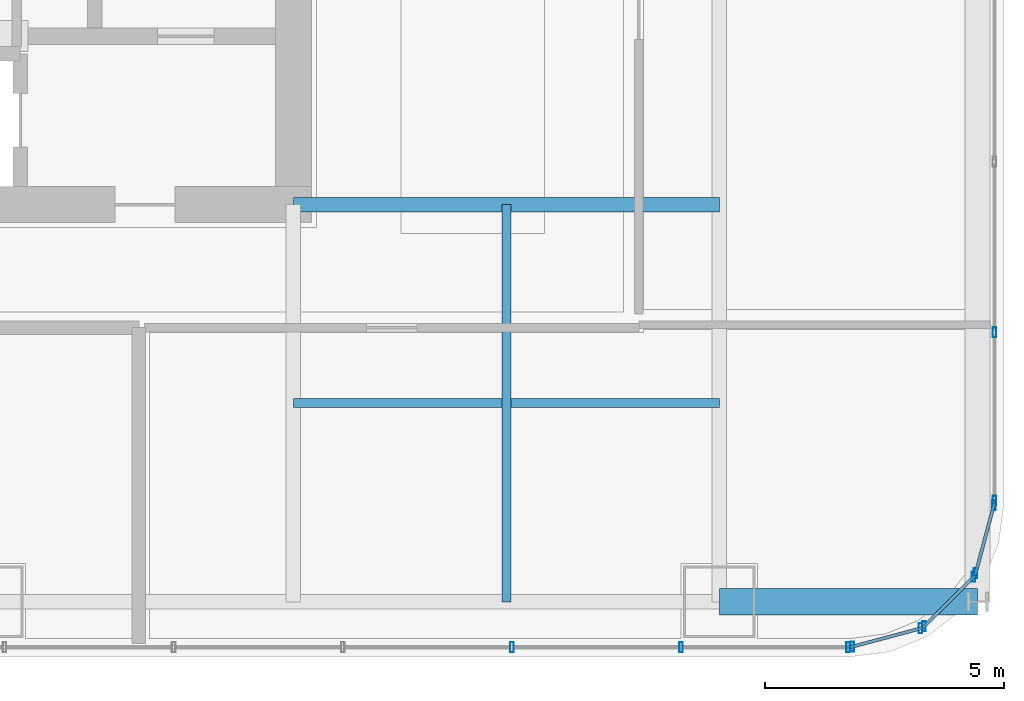
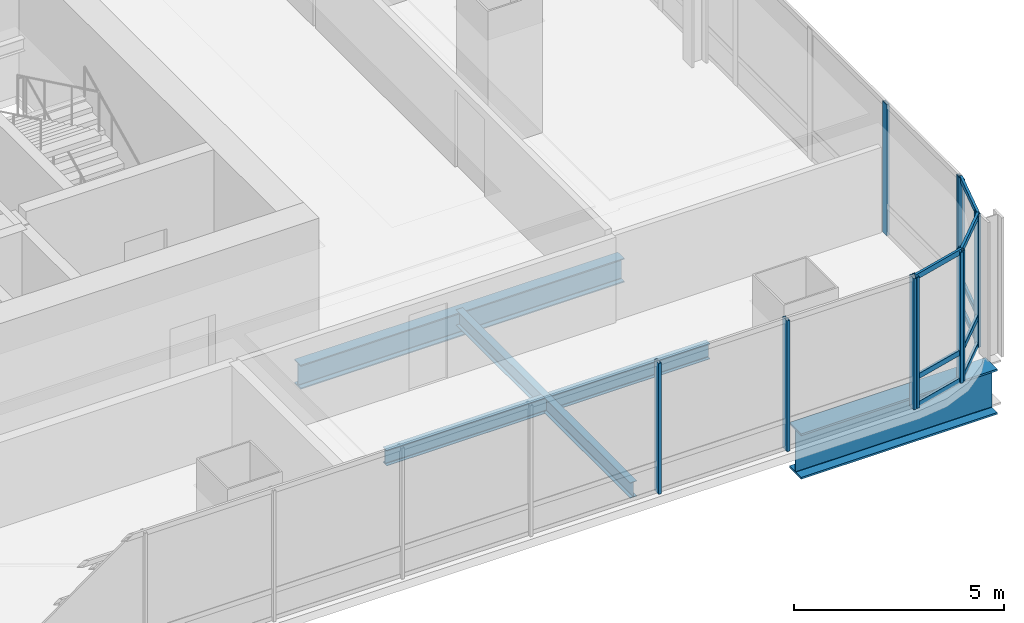
# One storey, part 13 of 34: 20 members, 4 beams, 5 elements without a shape of their own.
"""IFC4 building model written with IfcOpenShell, lengths in metres."""

import ifcopenshell
import ifcopenshell.guid

model = None  # the IFC model being written
_history = None  # IfcOwnerHistory: only IFC2X3 demands one
_inside = {}  # id of a spatial element -> (the spatial element, [elements in it])
_under = {}  # id of a project, library or spatial element -> (it, [spatial elements below it])
_declared = {}  # id of a project -> (the project, [libraries it declares])
_typed = {}  # id of a type object -> (the type object, [elements of that type])
_made_of = {}  # id of a material, layer set ... -> (it, [elements and type objects made of it])


def new_model(schema):
    """Start an empty IFC model of exactly this schema.

    Asked for "IFC4X3", IfcOpenShell would pick the latest addendum, in which some entities
    have other attributes; the version numbers below select the first issue.
    IFC2X3 requires an IfcOwnerHistory on every rooted entity: one is made here for all.
    """
    global model, _history
    if schema == "IFC4X3":
        model = ifcopenshell.file(schema_version=(4, 3, 0, 0))
    else:
        model = ifcopenshell.file(schema=schema)
    _inside.clear()
    _under.clear()
    _declared.clear()
    _typed.clear()
    _made_of.clear()
    _history = None
    if model.schema == "IFC2X3":
        org = make("IfcOrganization", Name="unknown")
        user = make(
            "IfcPersonAndOrganization",
            ThePerson=make("IfcPerson", FamilyName="unknown"),
            TheOrganization=org,
        )
        app = make(
            "IfcApplication",
            ApplicationDeveloper=org,
            Version="unknown",
            ApplicationFullName="unknown",
            ApplicationIdentifier="unknown",
        )
        _history = make(
            "IfcOwnerHistory",
            OwningUser=user,
            OwningApplication=app,
            ChangeAction="ADDED",
            CreationDate=0,
        )
    return model


def make(cls, **values):
    """One entity of the class cls with the attributes given. An attribute that is None is left unset."""
    return model.create_entity(
        cls, **{name: value for name, value in values.items() if value is not None}
    )


def rooted(cls, **values):
    """An entity with a GlobalId (a new one), such as an element, a storey or a relation."""
    return make(cls, GlobalId=ifcopenshell.guid.new(), OwnerHistory=_history, **values)


def si_unit(unit_type, name, prefix=None):
    """IfcSIUnit, for example si_unit("LENGTHUNIT", "METRE", prefix="MILLI")."""
    return make("IfcSIUnit", UnitType=unit_type, Prefix=prefix, Name=name)


def assignment(units):
    """IfcUnitAssignment: the units of a project."""
    return None if units is None else make("IfcUnitAssignment", Units=units)


def point(xyz):
    """IfcCartesianPoint."""
    return None if xyz is None else make("IfcCartesianPoint", Coordinates=xyz)


def direction(xyz):
    """IfcDirection."""
    return None if xyz is None else make("IfcDirection", DirectionRatios=xyz)


def frame(location, z_axis=None, x_axis=None):
    """IfcAxis2Placement3D, a coordinate frame: its origin and axes. An axis left out is left unset."""
    return make(
        "IfcAxis2Placement3D",
        Location=point(location),
        Axis=direction(z_axis),
        RefDirection=direction(x_axis),
    )


def frame_2d(location, x_axis=None):
    """IfcAxis2Placement2D, a coordinate frame in the plane: its origin and x axis."""
    return make(
        "IfcAxis2Placement2D", Location=point(location), RefDirection=direction(x_axis)
    )


def origin():
    """The frame at (0, 0, 0) with its axes left unset."""
    return frame((0.0, 0.0, 0.0))


def origin_2d():
    """The frame at (0, 0) in the plane with its x axis left unset."""
    return frame_2d((0.0, 0.0))


def place(relative_to, where):
    """IfcLocalPlacement: puts the frame where relative to a parent placement (None: the world)."""
    return make(
        "IfcLocalPlacement", PlacementRelTo=relative_to, RelativePlacement=where
    )


def context(
    kind, dimensions, precision=None, world=None, true_north=None, identifier=None
):
    """IfcGeometricRepresentationContext, for example the 3D "Model" context."""
    return make(
        "IfcGeometricRepresentationContext",
        ContextIdentifier=identifier,
        ContextType=kind,
        CoordinateSpaceDimension=dimensions,
        Precision=precision,
        WorldCoordinateSystem=world,
        TrueNorth=true_north,
    )


def subcontext(parent, identifier, kind, view, scale=None):
    """IfcGeometricRepresentationSubContext, for example "Body" below "Model"."""
    return make(
        "IfcGeometricRepresentationSubContext",
        ContextIdentifier=identifier,
        ContextType=kind,
        ParentContext=parent,
        TargetScale=scale,
        TargetView=view,
    )


def project(units=None, contexts=None):
    """IfcProject with its units and contexts."""
    return rooted(
        "IfcProject",
        Name="project",
        RepresentationContexts=contexts,
        UnitsInContext=assignment(units),
    )


def spatial(cls, under=None, at=None, **own):
    """A site, building, storey or space (cls), placed at a placement, below another one or the project."""
    s = rooted(cls, ObjectPlacement=at, **own)
    if under is not None:
        _under.setdefault(under.id(), (under, []))[1].append(s)
    return s


def profile(cls, at=None, kind="AREA", **sizes):
    """A parametric profile (cls). Its sizes go by their IFC names, for example OverallWidth=200.0."""
    return make(cls, ProfileType=kind, Position=at, **sizes)


def hollow_rectangle(**sizes):
    """IfcRectangleHollowProfileDef."""
    return profile("IfcRectangleHollowProfileDef", **sizes)


def i_section(**sizes):
    """IfcIShapeProfileDef."""
    return profile("IfcIShapeProfileDef", **sizes)


def extrude(swept, where, along, depth):
    """IfcExtrudedAreaSolid: the profile swept, set in the frame where, extruded along a direction by depth."""
    return make(
        "IfcExtrudedAreaSolid",
        SweptArea=swept,
        Position=where,
        ExtrudedDirection=direction(along),
        Depth=depth,
    )


def shape(context_of_items, identifier, shape_type, items):
    """IfcShapeRepresentation: the items that make up one representation, for example the "Body"."""
    return make(
        "IfcShapeRepresentation",
        ContextOfItems=context_of_items,
        RepresentationIdentifier=identifier,
        RepresentationType=shape_type,
        Items=items,
    )


def material(Name=None, Category=None):
    """IfcMaterial."""
    return make("IfcMaterial", Name=Name, Category=Category)


def material_profile(
    of_material, cross_section, Name=None, Category=None, Priority=None
):
    """IfcMaterialProfile: a cross section and its material."""
    return make(
        "IfcMaterialProfile",
        Name=Name,
        Material=of_material,
        Profile=cross_section,
        Priority=Priority,
        Category=Category,
    )


def profile_set(profiles, Name=None, composite=None):
    """IfcMaterialProfileSet."""
    return make(
        "IfcMaterialProfileSet",
        Name=Name,
        MaterialProfiles=profiles,
        CompositeProfile=composite,
    )


def made_of(thing, what):
    """Note that an element or type object is made of a material, layer set ...; save() writes the relation."""
    if what is not None:
        _made_of.setdefault(what.id(), (what, []))[1].append(thing)
    return thing


def type_object(cls, material=None, **own):
    """A type object (cls), such as IfcWallType, which elements share."""
    return made_of(rooted(cls, **own), material)


def element(
    cls,
    number,
    at=None,
    inside=None,
    cuts=None,
    type_object=None,
    material=None,
    context=None,
    identifier="Body",
    shape_type=None,
    held_by="IfcProductDefinitionShape",
    body=None,
    shapes=None,
    **own,
):
    """One element of the class cls, such as IfcWall. Its Tag is "e" and its number.

    at: its placement. inside: the storey or other place that contains it. cuts: it is an
    opening in that element (IfcRelVoidsElement). A single representation is given by context,
    identifier, shape_type and body (its items); several are given by shapes. held_by: the class
    of the entity that holds the representations. save() writes the other relations.
    """
    e = rooted(cls, Tag="e%d" % number, ObjectPlacement=at, **own)
    if body is not None:
        shapes = [shape(context, identifier, shape_type, body)]
    if shapes is not None:
        e.Representation = make(held_by, Representations=shapes)
    if inside is not None:
        _inside.setdefault(inside.id(), (inside, []))[1].append(e)
    if cuts is not None:
        rooted(
            "IfcRelVoidsElement", RelatingBuildingElement=cuts, RelatedOpeningElement=e
        )
    if type_object is not None:
        _typed.setdefault(type_object.id(), (type_object, []))[1].append(e)
    return made_of(e, material)


def aggregate(whole, parts):
    """IfcRelAggregates: a whole, such as a stair, and the parts it consists of."""
    return rooted("IfcRelAggregates", RelatingObject=whole, RelatedObjects=parts)


def save(model, path):
    """Write the relations noted so far, then the file.

    IfcRelAggregates (storeys below a building ...), IfcRelContainedInSpatialStructure (elements
    in a storey), IfcRelDefinesByType, IfcRelAssociatesMaterial and IfcRelDeclares: one each for
    every whole, place, type object, material and project.
    """
    for whole, parts in _under.values():
        aggregate(whole, parts)
    for where, things in _inside.values():
        rooted(
            "IfcRelContainedInSpatialStructure",
            RelatedElements=things,
            RelatingStructure=where,
        )
    for kind, things in _typed.values():
        rooted("IfcRelDefinesByType", RelatedObjects=things, RelatingType=kind)
    for what, things in _made_of.values():
        rooted("IfcRelAssociatesMaterial", RelatedObjects=things, RelatingMaterial=what)
    for by, libraries in _declared.values():
        rooted("IfcRelDeclares", RelatingContext=by, RelatedDefinitions=libraries)
    model.write(path)


model = new_model("IFC4")

# Units and contexts
model_context = context("Model", 3, precision=1e-05, world=origin(), true_north=direction((0.0, 1.0)))
body_context = subcontext(model_context, "Body", "Model", "MODEL_VIEW")
ifc_project = project(units=[si_unit("LENGTHUNIT", "METRE"), si_unit("AREAUNIT", "SQUARE_METRE"), si_unit("VOLUMEUNIT", "CUBIC_METRE"), si_unit("PLANEANGLEUNIT", "RADIAN"), si_unit("MASSUNIT", "GRAM", prefix="KILO")], contexts=[model_context])

# Site, building, storey
site_placement = place(None, origin())
site = spatial("IfcSite", under=ifc_project, at=site_placement, CompositionType="ELEMENT")
building_placement = place(site_placement, origin())
building = spatial("IfcBuilding", under=site, at=building_placement, Name="Punatoya Terracotta Tower", CompositionType="ELEMENT")
storey_placement = place(building_placement, frame((0.0, 0.0, 105.14990234375)))
storey = spatial("IfcBuildingStorey", under=building, at=storey_placement, Name="L24", CompositionType="ELEMENT", Elevation=105.14990234375)

# Beams
ifc_material_1 = material(Name="Steel S355", Category="steel")
ifc_material_profile_1 = material_profile(ifc_material_1, i_section(OverallWidth=0.300048828125, OverallDepth=0.699951171875, WebThickness=0.01708984375, FlangeThickness=0.031982421875, FilletRadius=0.01806640625, at=origin_2d()))
ifc_profile_set_1 = profile_set([ifc_material_profile_1], Name="Steel S355")
beam_type_1 = type_object("IfcBeamType", Name="BM-PRI-700", PredefinedType="BEAM", material=ifc_profile_set_1)
beam_1_placement = place(storey_placement, frame((10.199951171875, -9.199951171875, -0.58984375), z_axis=(1.0, 0.0, 0.0), x_axis=(0.0, 1.0, 0.0)))
element("IfcBeam", 1, at=beam_1_placement, inside=storey, type_object=beam_type_1, Name="BM-L24-PR-ES", PredefinedType="BEAM", context=body_context, shape_type="SweptSolid", body=[
    extrude(i_section(OverallWidth=0.300048828125, OverallDepth=0.699951171875, WebThickness=0.01708984375, FlangeThickness=0.031982421875, FilletRadius=0.01806640625, at=origin_2d()), origin(), (0.0, 0.0, 1.0), 8.900146484375),
])
ifc_material_profile_2 = material_profile(ifc_material_1, i_section(OverallWidth=0.18994140625, OverallDepth=0.449951171875, WebThickness=0.009521484375, FlangeThickness=0.0146484375, FilletRadius=0.01806640625, at=origin_2d()))
ifc_profile_set_2 = profile_set([ifc_material_profile_2], Name="Steel S355")
beam_type_2 = type_object("IfcBeamType", Name="BM-SEC-450", PredefinedType="JOIST", material=ifc_profile_set_2)
beam_2_placement = place(storey_placement, frame((10.199951171875, -13.35009765625, -0.46484375), z_axis=(1.0, 0.0, 0.0), x_axis=(0.0, 1.0, 0.0)))
element("IfcBeam", 2, at=beam_2_placement, inside=storey, type_object=beam_type_2, Name="BM-L24-SJS-2", PredefinedType="JOIST", context=body_context, shape_type="SweptSolid", body=[
    extrude(i_section(OverallWidth=0.18994140625, OverallDepth=0.449951171875, WebThickness=0.009521484375, FlangeThickness=0.0146484375, FilletRadius=0.01806640625, at=origin_2d()), origin(), (0.0, 0.0, 1.0), 8.900146484375),
])
beam_3_placement = place(storey_placement, frame((14.64990234375, -17.5, -0.46484375), z_axis=(0.0, 1.0, 0.0), x_axis=(-1.0, 0.0, 0.0)))
element("IfcBeam", 3, at=beam_3_placement, inside=storey, type_object=beam_type_2, Name="BM-L24-SJE-1", PredefinedType="JOIST", context=body_context, shape_type="SweptSolid", body=[
    extrude(i_section(OverallWidth=0.18994140625, OverallDepth=0.449951171875, WebThickness=0.009521484375, FlangeThickness=0.0146484375, FilletRadius=0.01806640625, at=origin_2d()), origin(), (0.0, 0.0, 1.0), 8.300048828125),
])
ifc_material_2 = material(Name="Steel S460", Category="steel")
ifc_material_profile_3 = material_profile(ifc_material_2, i_section(OverallWidth=0.56005859375, OverallDepth=1.320068359375, WebThickness=0.035888671875, FlangeThickness=0.054931640625, FilletRadius=0.01806640625, at=origin_2d()))
ifc_profile_set_3 = profile_set([ifc_material_profile_3], Name="Steel S460")
beam_type_3 = type_object("IfcBeamType", Name="BM-TG-BLK", PredefinedType="BEAM", material=ifc_profile_set_3)
beam_4_placement = place(storey_placement, frame((19.10009765625, -17.5, -0.89990234375), z_axis=(1.0, 0.0, 0.0), x_axis=(0.0, 1.0, 0.0)))
element("IfcBeam", 4, at=beam_4_placement, inside=storey, type_object=beam_type_3, Name="BM-L24-CANT-E1", PredefinedType="BEAM", context=body_context, shape_type="SweptSolid", body=[
    extrude(i_section(OverallWidth=0.56005859375, OverallDepth=1.320068359375, WebThickness=0.035888671875, FlangeThickness=0.054931640625, FilletRadius=0.01806640625, at=origin_2d()), origin(), (0.0, 0.0, 1.0), 5.39990234375),
])

# Curtain wall, members
ifc_material_3 = material(Name="Aluminium 6063-T6 + Double Low-E Glass", Category="aluminium")
curtain_wall_type = type_object("IfcCurtainWallType", Name="CW-M1", PredefinedType="NOTDEFINED", material=ifc_material_3)
curtain_wall_1_placement = place(storey_placement, origin())
curtain_wall_1 = element("IfcCurtainWall", 5, at=curtain_wall_1_placement, inside=storey, type_object=curtain_wall_type, Name="L24 Curtain Wall CW-L24-S01-1", PredefinedType="NOTDEFINED")
ifc_material_4 = material(Name="Aluminium 6063-T6", Category="aluminium")
ifc_material_profile_4 = material_profile(ifc_material_4, hollow_rectangle(XDim=0.074951171875, YDim=0.2099609375, WallThickness=0.00439453125, at=origin_2d()))
ifc_profile_set_4 = profile_set([ifc_material_profile_4], Name="Aluminium 6063-T6")
member_type_1 = type_object("IfcMemberType", Name="CW-MUL-M1", PredefinedType="MULLION", material=ifc_profile_set_4)
member_1_placement = place(storey_placement, frame((14.768798828125, -18.449951171875, 0.0), z_axis=(0.0, 0.0, 1.0), x_axis=(1.0, 0.0, 0.0)))
member_1 = element("IfcMember", 6, at=member_1_placement, type_object=member_type_1, Name="CW-L24-S01-1 Mullion 09", PredefinedType="MULLION", context=body_context, shape_type="SweptSolid", body=[
    extrude(hollow_rectangle(XDim=0.074951171875, YDim=0.2099609375, WallThickness=0.00439453125, at=origin_2d()), origin(), (0.0, 0.0, 1.0), 3.81005859375),
])
member_2_placement = place(storey_placement, frame((18.302978515625, -18.449951171875, 0.0), z_axis=(0.0, 0.0, 1.0), x_axis=(1.0, 0.0, 0.0)))
member_2 = element("IfcMember", 7, at=member_2_placement, type_object=member_type_1, Name="CW-L24-S01-1 Mullion 10", PredefinedType="MULLION", context=body_context, shape_type="SweptSolid", body=[
    extrude(hollow_rectangle(XDim=0.074951171875, YDim=0.2099609375, WallThickness=0.00439453125, at=origin_2d()), origin(), (0.0, 0.0, 1.0), 3.81005859375),
])
member_3_placement = place(storey_placement, frame((21.7919921875, -18.449951171875, 0.0), z_axis=(0.0, 0.0, 1.0), x_axis=(1.0, 0.0, 0.0)))
member_3 = element("IfcMember", 8, at=member_3_placement, type_object=member_type_1, Name="CW-L24-S01-1 Mullion 11", PredefinedType="MULLION", context=body_context, shape_type="SweptSolid", body=[
    extrude(hollow_rectangle(XDim=0.074951171875, YDim=0.2099609375, WallThickness=0.00439453125, at=origin_2d()), origin(), (0.0, 0.0, 1.0), 3.81005859375),
])
aggregate(curtain_wall_1, [member_1, member_2, member_3])

curtain_wall_2_placement = place(storey_placement, origin())
curtain_wall_2 = element("IfcCurtainWall", 9, at=curtain_wall_2_placement, inside=storey, type_object=curtain_wall_type, Name="L24 Curtain Wall CW-L24-CRN02", PredefinedType="NOTDEFINED")
member_4_placement = place(storey_placement, frame((21.88037109375, -18.4384765625, 0.0), z_axis=(0.0, 0.0, 1.0), x_axis=(1.0, 0.0, 0.0)))
member_4 = element("IfcMember", 10, at=member_4_placement, type_object=member_type_1, Name="CW-L24-CRN02 Mullion 00", PredefinedType="MULLION", context=body_context, shape_type="SweptSolid", body=[
    extrude(hollow_rectangle(XDim=0.074951171875, YDim=0.2099609375, WallThickness=0.00439453125, at=origin_2d()), origin(), (0.0, 0.0, 1.0), 3.81005859375),
])
member_5_placement = place(storey_placement, frame((23.3056640625, -18.05810546875, 0.0), z_axis=(0.0, 0.0, 1.0), x_axis=(1.0, 0.0, 0.0)))
member_5 = element("IfcMember", 11, at=member_5_placement, type_object=member_type_1, Name="CW-L24-CRN02 Mullion 01", PredefinedType="MULLION", context=body_context, shape_type="SweptSolid", body=[
    extrude(hollow_rectangle(XDim=0.074951171875, YDim=0.2099609375, WallThickness=0.00439453125, at=origin_2d()), origin(), (0.0, 0.0, 1.0), 3.81005859375),
])

curtain_wall_3_placement = place(storey_placement, origin())
curtain_wall_3 = element("IfcCurtainWall", 12, at=curtain_wall_3_placement, inside=storey, type_object=curtain_wall_type, Name="L24 Curtain Wall CW-L24-CRN03", PredefinedType="NOTDEFINED")
member_6_placement = place(storey_placement, frame((23.380859375, -18.014892578125, 0.0), z_axis=(0.0, 0.0, 1.0), x_axis=(1.0, 0.0, 0.0)))
member_6 = element("IfcMember", 13, at=member_6_placement, type_object=member_type_1, Name="CW-L24-CRN03 Mullion 00", PredefinedType="MULLION", context=body_context, shape_type="SweptSolid", body=[
    extrude(hollow_rectangle(XDim=0.074951171875, YDim=0.2099609375, WallThickness=0.00439453125, at=origin_2d()), origin(), (0.0, 0.0, 1.0), 3.81005859375),
])
member_7_placement = place(storey_placement, frame((24.414794921875, -16.98095703125, 0.0), z_axis=(0.0, 0.0, 1.0), x_axis=(1.0, 0.0, 0.0)))
member_7 = element("IfcMember", 14, at=member_7_placement, type_object=member_type_1, Name="CW-L24-CRN03 Mullion 01", PredefinedType="MULLION", context=body_context, shape_type="SweptSolid", body=[
    extrude(hollow_rectangle(XDim=0.074951171875, YDim=0.2099609375, WallThickness=0.00439453125, at=origin_2d()), origin(), (0.0, 0.0, 1.0), 3.81005859375),
])

curtain_wall_4_placement = place(storey_placement, origin())
curtain_wall_4 = element("IfcCurtainWall", 15, at=curtain_wall_4_placement, inside=storey, type_object=curtain_wall_type, Name="L24 Curtain Wall CW-L24-CRN04", PredefinedType="NOTDEFINED")
member_8_placement = place(storey_placement, frame((24.458251953125, -16.905517578125, 0.0), z_axis=(0.0, 0.0, 1.0), x_axis=(1.0, 0.0, 0.0)))
member_8 = element("IfcMember", 16, at=member_8_placement, type_object=member_type_1, Name="CW-L24-CRN04 Mullion 00", PredefinedType="MULLION", context=body_context, shape_type="SweptSolid", body=[
    extrude(hollow_rectangle(XDim=0.074951171875, YDim=0.2099609375, WallThickness=0.00439453125, at=origin_2d()), origin(), (0.0, 0.0, 1.0), 3.81005859375),
])
member_9_placement = place(storey_placement, frame((24.83837890625, -15.48046875, 0.0), z_axis=(0.0, 0.0, 1.0), x_axis=(1.0, 0.0, 0.0)))
member_9 = element("IfcMember", 17, at=member_9_placement, type_object=member_type_1, Name="CW-L24-CRN04 Mullion 01", PredefinedType="MULLION", context=body_context, shape_type="SweptSolid", body=[
    extrude(hollow_rectangle(XDim=0.074951171875, YDim=0.2099609375, WallThickness=0.00439453125, at=origin_2d()), origin(), (0.0, 0.0, 1.0), 3.81005859375),
])

curtain_wall_5_placement = place(storey_placement, origin())
curtain_wall_5 = element("IfcCurtainWall", 18, at=curtain_wall_5_placement, inside=storey, type_object=curtain_wall_type, Name="L24 Curtain Wall CW-L24-E05-1", PredefinedType="NOTDEFINED")
member_10_placement = place(storey_placement, frame((24.85009765625, -15.391845703125, 0.0), z_axis=(0.0, 0.0, 1.0), x_axis=(1.0, 0.0, 0.0)))
member_10 = element("IfcMember", 19, at=member_10_placement, type_object=member_type_1, Name="CW-L24-E05-1 Mullion 00", PredefinedType="MULLION", context=body_context, shape_type="SweptSolid", body=[
    extrude(hollow_rectangle(XDim=0.074951171875, YDim=0.2099609375, WallThickness=0.00439453125, at=origin_2d()), origin(), (0.0, 0.0, 1.0), 3.81005859375),
])
member_11_placement = place(storey_placement, frame((24.85009765625, -11.869384765625, 0.0), z_axis=(0.0, 0.0, 1.0), x_axis=(1.0, 0.0, 0.0)))
member_11 = element("IfcMember", 20, at=member_11_placement, type_object=member_type_1, Name="CW-L24-E05-1 Mullion 01", PredefinedType="MULLION", context=body_context, shape_type="SweptSolid", body=[
    extrude(hollow_rectangle(XDim=0.074951171875, YDim=0.2099609375, WallThickness=0.00439453125, at=origin_2d()), origin(), (0.0, 0.0, 1.0), 3.81005859375),
])
aggregate(curtain_wall_5, [member_10, member_11])

# Member
ifc_material_profile_5 = material_profile(ifc_material_4, hollow_rectangle(XDim=0.068115234375, YDim=0.14990234375, WallThickness=0.00390625, at=origin_2d()))
ifc_profile_set_5 = profile_set([ifc_material_profile_5], Name="Aluminium 6063-T6")
member_type_2 = type_object("IfcMemberType", Name="CW-TRN-TYP", PredefinedType="USERDEFINED", material=ifc_profile_set_5)
member_12_placement = place(storey_placement, frame((21.8369140625, -18.449951171875, 0.0400390625), z_axis=(0.966224582397, 0.257701486942, 0.0), x_axis=(-0.257701486942, 0.966224582397, 0.0)))
member_12 = element("IfcMember", 21, at=member_12_placement, type_object=member_type_2, Name="CW-L24-CRN02 Transom 1", ObjectType="TRANSOM", PredefinedType="USERDEFINED", context=body_context, shape_type="SweptSolid", body=[
    extrude(hollow_rectangle(XDim=0.068115234375, YDim=0.14990234375, WallThickness=0.00390625, at=origin_2d()), origin(), (0.0, 0.0, 1.0), 1.565185546875),
])

member_13_placement = place(storey_placement, frame((21.8369140625, -18.449951171875, 0.85009765625), z_axis=(0.966224582397, 0.257701486942, 0.0), x_axis=(-0.257701486942, 0.966224582397, 0.0)))
member_13 = element("IfcMember", 22, at=member_13_placement, type_object=member_type_2, Name="CW-L24-CRN02 Transom 2", ObjectType="TRANSOM", PredefinedType="USERDEFINED", context=body_context, shape_type="SweptSolid", body=[
    extrude(hollow_rectangle(XDim=0.068115234375, YDim=0.14990234375, WallThickness=0.00390625, at=origin_2d()), origin(), (0.0, 0.0, 1.0), 1.565185546875),
])

member_14_placement = place(storey_placement, frame((21.8369140625, -18.449951171875, 3.77001953125), z_axis=(0.966224582397, 0.257701486942, 0.0), x_axis=(-0.257701486942, 0.966224582397, 0.0)))
member_14 = element("IfcMember", 23, at=member_14_placement, type_object=member_type_2, Name="CW-L24-CRN02 Transom 3", ObjectType="TRANSOM", PredefinedType="USERDEFINED", context=body_context, shape_type="SweptSolid", body=[
    extrude(hollow_rectangle(XDim=0.068115234375, YDim=0.14990234375, WallThickness=0.00390625, at=origin_2d()), origin(), (0.0, 0.0, 1.0), 1.565185546875),
])

aggregate(curtain_wall_2, [member_4, member_5, member_12, member_13, member_14])

member_15_placement = place(storey_placement, frame((23.34912109375, -18.046630859375, 0.0400390625), z_axis=(0.707106781187, 0.707106781187, 0.0), x_axis=(-0.707106781187, 0.707106781187, 0.0)))
member_15 = element("IfcMember", 24, at=member_15_placement, type_object=member_type_2, Name="CW-L24-CRN03 Transom 1", ObjectType="TRANSOM", PredefinedType="USERDEFINED", context=body_context, shape_type="SweptSolid", body=[
    extrude(hollow_rectangle(XDim=0.068115234375, YDim=0.14990234375, WallThickness=0.00390625, at=origin_2d()), origin(), (0.0, 0.0, 1.0), 1.552001953125),
])

member_16_placement = place(storey_placement, frame((23.34912109375, -18.046630859375, 0.85009765625), z_axis=(0.707106781187, 0.707106781187, 0.0), x_axis=(-0.707106781187, 0.707106781187, 0.0)))
member_16 = element("IfcMember", 25, at=member_16_placement, type_object=member_type_2, Name="CW-L24-CRN03 Transom 2", ObjectType="TRANSOM", PredefinedType="USERDEFINED", context=body_context, shape_type="SweptSolid", body=[
    extrude(hollow_rectangle(XDim=0.068115234375, YDim=0.14990234375, WallThickness=0.00390625, at=origin_2d()), origin(), (0.0, 0.0, 1.0), 1.552001953125),
])

member_17_placement = place(storey_placement, frame((23.34912109375, -18.046630859375, 3.77001953125), z_axis=(0.707106781187, 0.707106781187, 0.0), x_axis=(-0.707106781187, 0.707106781187, 0.0)))
member_17 = element("IfcMember", 26, at=member_17_placement, type_object=member_type_2, Name="CW-L24-CRN03 Transom 3", ObjectType="TRANSOM", PredefinedType="USERDEFINED", context=body_context, shape_type="SweptSolid", body=[
    extrude(hollow_rectangle(XDim=0.068115234375, YDim=0.14990234375, WallThickness=0.00390625, at=origin_2d()), origin(), (0.0, 0.0, 1.0), 1.552001953125),
])

aggregate(curtain_wall_3, [member_6, member_7, member_15, member_16, member_17])

member_18_placement = place(storey_placement, frame((24.446533203125, -16.94921875, 0.0400390625), z_axis=(0.257847112249, 0.966185730957, 0.0), x_axis=(-0.966185730957, 0.257847112249, 0.0)))
member_18 = element("IfcMember", 27, at=member_18_placement, type_object=member_type_2, Name="CW-L24-CRN04 Transom 1", ObjectType="TRANSOM", PredefinedType="USERDEFINED", context=body_context, shape_type="SweptSolid", body=[
    extrude(hollow_rectangle(XDim=0.068115234375, YDim=0.14990234375, WallThickness=0.00390625, at=origin_2d()), origin(), (0.0, 0.0, 1.0), 1.565185546875),
])

member_19_placement = place(storey_placement, frame((24.446533203125, -16.94921875, 0.85009765625), z_axis=(0.257847112249, 0.966185730957, 0.0), x_axis=(-0.966185730957, 0.257847112249, 0.0)))
member_19 = element("IfcMember", 28, at=member_19_placement, type_object=member_type_2, Name="CW-L24-CRN04 Transom 2", ObjectType="TRANSOM", PredefinedType="USERDEFINED", context=body_context, shape_type="SweptSolid", body=[
    extrude(hollow_rectangle(XDim=0.068115234375, YDim=0.14990234375, WallThickness=0.00390625, at=origin_2d()), origin(), (0.0, 0.0, 1.0), 1.565185546875),
])

member_20_placement = place(storey_placement, frame((24.446533203125, -16.94921875, 3.77001953125), z_axis=(0.257847112249, 0.966185730957, 0.0), x_axis=(-0.966185730957, 0.257847112249, 0.0)))
member_20 = element("IfcMember", 29, at=member_20_placement, type_object=member_type_2, Name="CW-L24-CRN04 Transom 3", ObjectType="TRANSOM", PredefinedType="USERDEFINED", context=body_context, shape_type="SweptSolid", body=[
    extrude(hollow_rectangle(XDim=0.068115234375, YDim=0.14990234375, WallThickness=0.00390625, at=origin_2d()), origin(), (0.0, 0.0, 1.0), 1.565185546875),
])

aggregate(curtain_wall_4, [member_8, member_9, member_18, member_19, member_20])

save(model, "model.ifc")
